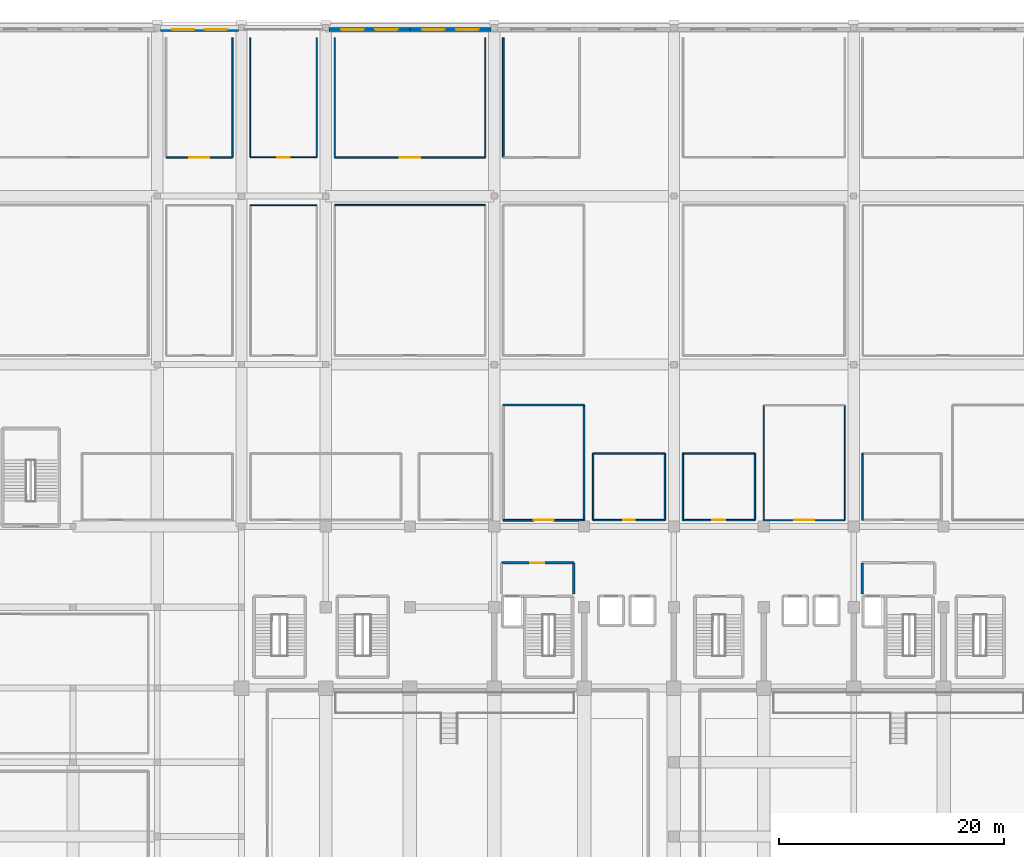
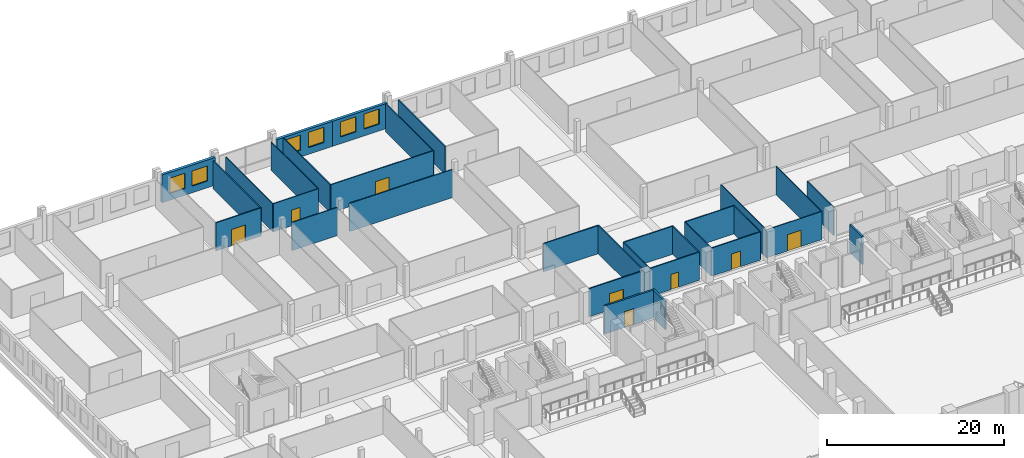
# One storey, part 48 of 68: 32 walls, 8 doors, 6 windows, 14 openings.
"""IFC4 building model written with IfcOpenShell, lengths in metres."""

from ifc_helpers import new_model, si_unit, direction, frame, frame_2d, origin, place, context, subcontext, project, spatial, rectangle, extrude, material, layer, layer_set, type_object, element, fill, save


model = new_model("IFC4")

# Units and contexts
model_context = context("Model", 3, precision=1e-05, world=origin(), true_north=direction((0.0, 1.0)))
body_context = subcontext(model_context, "Body", "Model", "MODEL_VIEW")
ifc_project = project(units=[si_unit("LENGTHUNIT", "METRE"), si_unit("AREAUNIT", "SQUARE_METRE"), si_unit("VOLUMEUNIT", "CUBIC_METRE"), si_unit("PLANEANGLEUNIT", "RADIAN"), si_unit("MASSUNIT", "GRAM", prefix="KILO")], contexts=[model_context])

# Site, building, storey
site_placement = place(None, origin())
site = spatial("IfcSite", under=ifc_project, at=site_placement, CompositionType="ELEMENT")
building_placement = place(site_placement, origin())
building = spatial("IfcBuilding", under=site, at=building_placement, Name="Akrevak Sports Hall", CompositionType="ELEMENT")
storey_placement = place(building_placement, frame((0.0, 0.0, 9.39990234375)))
storey = spatial("IfcBuildingStorey", under=building, at=storey_placement, Name="L02", CompositionType="ELEMENT", Elevation=9.39990234375)

# Wall, openings, windows
ifc_material_1 = material(Name="Limestone Ashlar", Category="stone")
ifc_layer_1 = layer(ifc_material_1, 0.080078125, Name="Limestone Ashlar")
ifc_material_2 = material(Name="Mineral Wool Thermal Insulation", Category="insulation")
ifc_layer_2 = layer(ifc_material_2, 0.10009765625, Name="Mineral Wool Thermal Insulation")
ifc_material_3 = material(Name="Concrete C40/50", Category="concrete")
ifc_layer_3 = layer(ifc_material_3, 0.179931640625, Name="Concrete C40/50")
ifc_layer_set_1 = layer_set([ifc_layer_1, ifc_layer_2, ifc_layer_3], Name="Limestone Ashlar / Mineral Wool Thermal Insulation / Concrete C40/50")
wall_type_1 = type_object("IfcWallType", Name="ARC-WL-EXT-360", PredefinedType="SOLIDWALL", material=ifc_layer_set_1)
wall_1_placement = place(storey_placement, frame((37.22509765625, 113.820068359375, 0.0), z_axis=(0.0, 0.0, 1.0), x_axis=(-1.0, 0.0, 0.0)))
wall_1 = element("IfcWall", 1, at=wall_1_placement, inside=storey, type_object=wall_type_1, Name="Exterior Limestone Wall L02-N05", PredefinedType="SOLIDWALL", context=body_context, shape_type="SweptSolid", body=[
    extrude(rectangle(XDim=6.925048828125, YDim=0.360107421875, at=frame_2d((3.46240234375, 0.0))), origin(), (0.0, 0.0, 1.0), 3.820068359375),
])
opening_1_placement = place(wall_1_placement, frame((3.916748046875, 0.0, 0.919921875)))
opening_1 = element("IfcOpeningElement", 2, at=opening_1_placement, cuts=wall_1, Name="Opening WN-36", PredefinedType="OPENING", context=body_context, shape_type="SweptSolid", body=[
    extrude(rectangle(XDim=2.0, YDim=2.10009765625, at=frame_2d((1.0, 1.050048828125))), frame((0.0, 0.19189453125, 0.0), z_axis=(0.0, -1.0, 0.0), x_axis=(1.0, 0.0, 0.0)), (0.0, 0.0, 1.0), 0.384033203125),
])
opening_2_placement = place(wall_1_placement, frame((1.00830078125, 0.0, 0.919921875)))
opening_2 = element("IfcOpeningElement", 3, at=opening_2_placement, cuts=wall_1, Name="Opening WN-36", PredefinedType="OPENING", context=body_context, shape_type="SweptSolid", body=[
    extrude(rectangle(XDim=2.0, YDim=2.10009765625, at=frame_2d((1.0, 1.050048828125))), frame((0.0, 0.19189453125, 0.0), z_axis=(0.0, -1.0, 0.0), x_axis=(1.0, 0.0, 0.0)), (0.0, 0.0, 1.0), 0.384033203125),
])
ifc_material_4 = material(Name="Thermally Broken Bronze Frame & Double Low-E Glass", Category="glass")
window_type = type_object("IfcWindowType", Name="ARC-WIN-SZ-2000x2100", PartitioningType="SINGLE_PANEL", PredefinedType="WINDOW", material=ifc_material_4)
window_1_placement = place(opening_1_placement, origin())
window_1 = element("IfcWindow", 4, at=window_1_placement, inside=storey, type_object=window_type, Name="Beaux-Arts Facade Window WIN-L02-N05-1", OverallHeight=2.10009765625, OverallWidth=2.0, PartitioningType="SINGLE_PANEL", PredefinedType="WINDOW", context=body_context, shape_type="SweptSolid", body=[
    extrude(rectangle(XDim=2.0, YDim=2.10009765625, at=frame_2d((1.0, 1.050048828125))), frame((0.0, 0.030029296875, 0.0), z_axis=(0.0, -1.0, 0.0), x_axis=(1.0, 0.0, 0.0)), (0.0, 0.0, 1.0), 0.06005859375),
])
fill(opening_1, window_1)
window_2_placement = place(opening_2_placement, origin())
window_2 = element("IfcWindow", 5, at=window_2_placement, inside=storey, type_object=window_type, Name="Beaux-Arts Facade Window WIN-L02-N05-2", OverallHeight=2.10009765625, OverallWidth=2.0, PartitioningType="SINGLE_PANEL", PredefinedType="WINDOW", context=body_context, shape_type="SweptSolid", body=[
    extrude(rectangle(XDim=2.0, YDim=2.10009765625, at=frame_2d((1.0, 1.050048828125))), frame((0.0, 0.030029296875, 0.0), z_axis=(0.0, -1.0, 0.0), x_axis=(1.0, 0.0, 0.0)), (0.0, 0.0, 1.0), 0.06005859375),
])
fill(opening_2, window_2)

wall_2_placement = place(storey_placement, frame((52.5, 113.820068359375, 0.0), z_axis=(0.0, 0.0, 1.0), x_axis=(-1.0, 0.0, 0.0)))
wall_2 = element("IfcWall", 6, at=wall_2_placement, inside=storey, type_object=wall_type_1, Name="Exterior Limestone Wall L02-N07", PredefinedType="SOLIDWALL", context=body_context, shape_type="SweptSolid", body=[
    extrude(rectangle(XDim=7.22509765625, YDim=0.360107421875, at=frame_2d((3.612548828125, 0.0))), origin(), (0.0, 0.0, 1.0), 3.4501953125),
])
opening_3_placement = place(wall_2_placement, frame((4.1298828125, 0.0, 0.919921875)))
opening_3 = element("IfcOpeningElement", 7, at=opening_3_placement, cuts=wall_2, Name="Opening WN-36", PredefinedType="OPENING", context=body_context, shape_type="SweptSolid", body=[
    extrude(rectangle(XDim=2.0, YDim=2.10009765625, at=frame_2d((1.0, 1.050048828125))), frame((0.0, 0.19189453125, 0.0), z_axis=(0.0, -1.0, 0.0), x_axis=(1.0, 0.0, 0.0)), (0.0, 0.0, 1.0), 0.384033203125),
])
opening_4_placement = place(wall_2_placement, frame((1.09521484375, 0.0, 0.919921875)))
opening_4 = element("IfcOpeningElement", 8, at=opening_4_placement, cuts=wall_2, Name="Opening WN-36", PredefinedType="OPENING", context=body_context, shape_type="SweptSolid", body=[
    extrude(rectangle(XDim=2.0, YDim=2.10009765625, at=frame_2d((1.0, 1.050048828125))), frame((0.0, 0.19189453125, 0.0), z_axis=(0.0, -1.0, 0.0), x_axis=(1.0, 0.0, 0.0)), (0.0, 0.0, 1.0), 0.384033203125),
])
window_3_placement = place(opening_3_placement, origin())
window_3 = element("IfcWindow", 9, at=window_3_placement, inside=storey, type_object=window_type, Name="Beaux-Arts Facade Window WIN-L02-N07-1", OverallHeight=2.10009765625, OverallWidth=2.0, PartitioningType="SINGLE_PANEL", PredefinedType="WINDOW", context=body_context, shape_type="SweptSolid", body=[
    extrude(rectangle(XDim=2.0, YDim=2.10009765625, at=frame_2d((1.0, 1.050048828125))), frame((0.0, 0.030029296875, 0.0), z_axis=(0.0, -1.0, 0.0), x_axis=(1.0, 0.0, 0.0)), (0.0, 0.0, 1.0), 0.06005859375),
])
fill(opening_3, window_3)
window_4_placement = place(opening_4_placement, origin())
window_4 = element("IfcWindow", 10, at=window_4_placement, inside=storey, type_object=window_type, Name="Beaux-Arts Facade Window WIN-L02-N07-2", OverallHeight=2.10009765625, OverallWidth=2.0, PartitioningType="SINGLE_PANEL", PredefinedType="WINDOW", context=body_context, shape_type="SweptSolid", body=[
    extrude(rectangle(XDim=2.0, YDim=2.10009765625, at=frame_2d((1.0, 1.050048828125))), frame((0.0, 0.030029296875, 0.0), z_axis=(0.0, -1.0, 0.0), x_axis=(1.0, 0.0, 0.0)), (0.0, 0.0, 1.0), 0.06005859375),
])
fill(opening_4, window_4)

wall_3_placement = place(storey_placement, frame((59.699951171875, 113.820068359375, 0.0), z_axis=(0.0, 0.0, 1.0), x_axis=(-1.0, 0.0, 0.0)))
wall_3 = element("IfcWall", 11, at=wall_3_placement, inside=storey, type_object=wall_type_1, Name="Exterior Limestone Wall L02-N08", PredefinedType="SOLIDWALL", context=body_context, shape_type="SweptSolid", body=[
    extrude(rectangle(XDim=7.199951171875, YDim=0.360107421875, at=frame_2d((3.60009765625, 0.0))), origin(), (0.0, 0.0, 1.0), 3.4501953125),
])
opening_5_placement = place(wall_3_placement, frame((4.112060546875, 0.0, 0.919921875)))
opening_5 = element("IfcOpeningElement", 12, at=opening_5_placement, cuts=wall_3, Name="Opening WN-36", PredefinedType="OPENING", context=body_context, shape_type="SweptSolid", body=[
    extrude(rectangle(XDim=2.0, YDim=2.10009765625, at=frame_2d((1.0, 1.050048828125))), frame((0.0, 0.19189453125, 0.0), z_axis=(0.0, -1.0, 0.0), x_axis=(1.0, 0.0, 0.0)), (0.0, 0.0, 1.0), 0.384033203125),
])
opening_6_placement = place(wall_3_placement, frame((1.087890625, 0.0, 0.919921875)))
opening_6 = element("IfcOpeningElement", 13, at=opening_6_placement, cuts=wall_3, Name="Opening WN-36", PredefinedType="OPENING", context=body_context, shape_type="SweptSolid", body=[
    extrude(rectangle(XDim=2.0, YDim=2.10009765625, at=frame_2d((1.0, 1.050048828125))), frame((0.0, 0.19189453125, 0.0), z_axis=(0.0, -1.0, 0.0), x_axis=(1.0, 0.0, 0.0)), (0.0, 0.0, 1.0), 0.384033203125),
])
window_5_placement = place(opening_5_placement, origin())
window_5 = element("IfcWindow", 14, at=window_5_placement, inside=storey, type_object=window_type, Name="Beaux-Arts Facade Window WIN-L02-N08-1", OverallHeight=2.10009765625, OverallWidth=2.0, PartitioningType="SINGLE_PANEL", PredefinedType="WINDOW", context=body_context, shape_type="SweptSolid", body=[
    extrude(rectangle(XDim=2.0, YDim=2.10009765625, at=frame_2d((1.0, 1.050048828125))), frame((0.0, 0.030029296875, 0.0), z_axis=(0.0, -1.0, 0.0), x_axis=(1.0, 0.0, 0.0)), (0.0, 0.0, 1.0), 0.06005859375),
])
fill(opening_5, window_5)
window_6_placement = place(opening_6_placement, origin())
window_6 = element("IfcWindow", 15, at=window_6_placement, inside=storey, type_object=window_type, Name="Beaux-Arts Facade Window WIN-L02-N08-2", OverallHeight=2.10009765625, OverallWidth=2.0, PartitioningType="SINGLE_PANEL", PredefinedType="WINDOW", context=body_context, shape_type="SweptSolid", body=[
    extrude(rectangle(XDim=2.0, YDim=2.10009765625, at=frame_2d((1.0, 1.050048828125))), frame((0.0, 0.030029296875, 0.0), z_axis=(0.0, -1.0, 0.0), x_axis=(1.0, 0.0, 0.0)), (0.0, 0.0, 1.0), 0.06005859375),
])
fill(opening_6, window_6)

# Wall, opening, door
ifc_material_5 = material(Name="Sanitary Cubicle Partition", Category="gypsum")
ifc_layer_4 = layer(ifc_material_5, 0.10009765625, Name="Sanitary Cubicle Partition")
ifc_layer_set_2 = layer_set([ifc_layer_4], Name="Sanitary Cubicle Partition")
wall_type_2 = type_object("IfcWallType", Name="ARC-WL-PRT-100", PredefinedType="PARTITIONING", material=ifc_layer_set_2)
wall_4_placement = place(storey_placement, frame((38.300048828125, 102.449951171875, 0.0), z_axis=(0.0, 0.0, 1.0), x_axis=(1.0, 0.0, 0.0)))
wall_4 = element("IfcWall", 16, at=wall_4_placement, inside=storey, type_object=wall_type_2, Name="Interior Partition Federation Officiating & Records Office L02-4 (S)", PredefinedType="PARTITIONING", context=body_context, shape_type="SweptSolid", body=[
    extrude(rectangle(XDim=5.89990234375, YDim=0.10009765625, at=frame_2d((2.949951171875, 0.0))), origin(), (0.0, 0.0, 1.0), 3.880126953125),
])
opening_7_placement = place(wall_4_placement, frame((2.39990234375, 0.0, 0.0)))
opening_7 = element("IfcOpeningElement", 17, at=opening_7_placement, cuts=wall_4, Name="Opening ID-04", PredefinedType="OPENING", context=body_context, shape_type="SweptSolid", body=[
    extrude(rectangle(XDim=1.10009765625, YDim=2.14990234375, at=frame_2d((0.550048828125, 1.074951171875))), frame((0.0, 0.06201171875, 0.0), z_axis=(0.0, -1.0, 0.0), x_axis=(1.0, 0.0, 0.0)), (0.0, 0.0, 1.0), 0.1240234375),
])
ifc_material_6 = material(Name="Hardwood Oak Acoustic Leaf", Category="wood")
door_type_1 = type_object("IfcDoorType", Name="ARC-DR-OFF-110x215", OperationType="NOTDEFINED", PredefinedType="DOOR", material=ifc_material_6)
door_1_placement = place(opening_7_placement, frame((1.10009765625, 0.0, 0.0), z_axis=(0.0, 0.0, 1.0), x_axis=(-1.0, 0.0, 0.0)))
door_1 = element("IfcDoor", 18, at=door_1_placement, inside=storey, type_object=door_type_1, Name="Door to Federation Officiating & Records Office L02-4", OperationType="SINGLE_SWING_RIGHT", OverallHeight=2.14990234375, OverallWidth=1.10009765625, PredefinedType="DOOR", context=body_context, shape_type="SweptSolid", body=[
    extrude(rectangle(XDim=1.10009765625, YDim=2.14990234375, at=frame_2d((0.550048828125, 1.074951171875))), frame((0.0, 0.02490234375, 0.0), z_axis=(0.0, -1.0, 0.0), x_axis=(1.0, 0.0, 0.0)), (0.0, 0.0, 1.0), 0.050048828125),
])
fill(opening_7, door_1)

# Walls
for number, where, z_axis, x_axis, name in (
    (19, (38.300048828125, 102.449951171875, 0.0), (0.0, 0.0, 1.0), (0.0, 1.0, 0.0), "Interior Partition Federation Officiating & Records Office L02-4 (W)"),
    (20, (44.199951171875, 102.449951171875, 0.0), (0.0, 0.0, 1.0), (0.0, 1.0, 0.0), "Interior Partition Federation Officiating & Records Office L02-4 (E)"),
):
    element("IfcWall", number, at=place(storey_placement, frame(where, z_axis=z_axis, x_axis=x_axis)), inside=storey, type_object=wall_type_2, Name=name, PredefinedType="PARTITIONING", context=body_context, shape_type="SweptSolid", body=[
        extrude(rectangle(XDim=10.650146484375, YDim=0.10009765625, at=frame_2d((5.3251953125, 0.0))), origin(), (0.0, 0.0, 1.0), 3.880126953125),
    ])

# Wall, opening, door
wall_5_placement = place(storey_placement, frame((84.0, 70.14990234375, 0.0), z_axis=(0.0, 0.0, 1.0), x_axis=(1.0, 0.0, 0.0)))
wall_5 = element("IfcWall", 21, at=wall_5_placement, inside=storey, type_object=wall_type_2, Name="Interior Partition Upper Equipment Storage L02-2 (S)", PredefinedType="PARTITIONING", context=body_context, shape_type="SweptSolid", body=[
    extrude(rectangle(XDim=7.199951171875, YDim=0.10009765625, at=frame_2d((3.60009765625, 0.0))), origin(), (0.0, 0.0, 1.0), 3.880126953125),
])
opening_8_placement = place(wall_5_placement, frame((2.699951171875, 0.0, 0.0)))
opening_8 = element("IfcOpeningElement", 22, at=opening_8_placement, cuts=wall_5, Name="Opening ID-02", PredefinedType="OPENING", context=body_context, shape_type="SweptSolid", body=[
    extrude(rectangle(XDim=1.800048828125, YDim=2.25, at=frame_2d((0.89990234375, 1.125))), frame((0.0, 0.06201171875, 0.0), z_axis=(0.0, -1.0, 0.0), x_axis=(1.0, 0.0, 0.0)), (0.0, 0.0, 1.0), 0.1240234375),
])
ifc_material_7 = material(Name="Hardwood Oak & Safety Glass", Category="wood")
door_type_2 = type_object("IfcDoorType", Name="ARC-DR-HALL-180x225", OperationType="DOUBLE_DOOR_SINGLE_SWING", PredefinedType="DOOR", material=ifc_material_7)
door_2_placement = place(opening_8_placement, origin())
door_2 = element("IfcDoor", 23, at=door_2_placement, inside=storey, type_object=door_type_2, Name="Door to Upper Equipment Storage L02-2", OperationType="DOUBLE_DOOR_SINGLE_SWING", OverallHeight=2.25, OverallWidth=1.800048828125, PredefinedType="DOOR", context=body_context, shape_type="SweptSolid", body=[
    extrude(rectangle(XDim=1.800048828125, YDim=2.25, at=frame_2d((0.89990234375, 1.125))), frame((0.0, 0.02490234375, 0.0), z_axis=(0.0, -1.0, 0.0), x_axis=(1.0, 0.0, 0.0)), (0.0, 0.0, 1.0), 0.050048828125),
])
fill(opening_8, door_2)

# Walls
for number, where, z_axis, x_axis, name in (
    (24, (84.0, 70.14990234375, 0.0), (0.0, 0.0, 1.0), (0.0, 1.0, 0.0), "Interior Partition Upper Equipment Storage L02-2 (W)"),
    (25, (91.199951171875, 70.14990234375, 0.0), (0.0, 0.0, 1.0), (0.0, 1.0, 0.0), "Interior Partition Upper Equipment Storage L02-2 (E)"),
):
    element("IfcWall", number, at=place(storey_placement, frame(where, z_axis=z_axis, x_axis=x_axis)), inside=storey, type_object=wall_type_2, Name=name, PredefinedType="PARTITIONING", context=body_context, shape_type="SweptSolid", body=[
        extrude(rectangle(XDim=10.25, YDim=0.10009765625, at=frame_2d((5.125, 0.0))), origin(), (0.0, 0.0, 1.0), 3.880126953125),
    ])
ifc_material_8 = material(Name="Lightweight Office Partition", Category="gypsum")
ifc_layer_5 = layer(ifc_material_8, 0.110107421875, Name="Lightweight Office Partition")
ifc_layer_set_3 = layer_set([ifc_layer_5], Name="Lightweight Office Partition")
wall_type_3 = type_object("IfcWallType", Name="ARC-WL-PRT-110", PredefinedType="PARTITIONING", material=ifc_layer_set_3)
wall_6_placement = place(storey_placement, frame((38.300048828125, 98.199951171875, 0.0), z_axis=(0.0, 0.0, 1.0), x_axis=(1.0, 0.0, 0.0)))
element("IfcWall", 26, at=wall_6_placement, inside=storey, type_object=wall_type_3, Name="Interior Partition Athletic Gear & Equipment Storage L02-4 (N)", PredefinedType="PARTITIONING", context=body_context, shape_type="SweptSolid", body=[
    extrude(rectangle(XDim=5.89990234375, YDim=0.110107421875, at=frame_2d((2.949951171875, 0.0))), origin(), (0.0, 0.0, 1.0), 3.880126953125),
])
ifc_material_9 = material(Name="Standard Metal Stud Partition", Category="gypsum")
ifc_layer_6 = layer(ifc_material_9, 0.1201171875, Name="Standard Metal Stud Partition")
ifc_layer_set_4 = layer_set([ifc_layer_6], Name="Standard Metal Stud Partition")
wall_type_4 = type_object("IfcWallType", Name="ARC-WL-PRT-120", PredefinedType="PARTITIONING", material=ifc_layer_set_4)
wall_7_placement = place(storey_placement, frame((45.800048828125, 98.199951171875, 0.0), z_axis=(0.0, 0.0, 1.0), x_axis=(1.0, 0.0, 0.0)))
element("IfcWall", 27, at=wall_7_placement, inside=storey, type_object=wall_type_4, Name="Interior Partition Sports Federation Training Office L02-5 (N)", PredefinedType="PARTITIONING", context=body_context, shape_type="SweptSolid", body=[
    extrude(rectangle(XDim=13.39990234375, YDim=0.1201171875, at=frame_2d((6.699951171875, 0.0))), origin(), (0.0, 0.0, 1.0), 3.880126953125),
])

# Wall, opening, door
wall_8_placement = place(storey_placement, frame((45.800048828125, 102.449951171875, 0.0), z_axis=(0.0, 0.0, 1.0), x_axis=(1.0, 0.0, 0.0)))
wall_8 = element("IfcWall", 28, at=wall_8_placement, inside=storey, type_object=wall_type_4, Name="Interior Partition Competition Equipment Storage L02-5 (S)", PredefinedType="PARTITIONING", context=body_context, shape_type="SweptSolid", body=[
    extrude(rectangle(XDim=13.39990234375, YDim=0.1201171875, at=frame_2d((6.699951171875, 0.0))), origin(), (0.0, 0.0, 1.0), 3.880126953125),
])
opening_9_placement = place(wall_8_placement, frame((5.800048828125, 0.0, 0.0)))
opening_9 = element("IfcOpeningElement", 29, at=opening_9_placement, cuts=wall_8, Name="Opening ID-02", PredefinedType="OPENING", context=body_context, shape_type="SweptSolid", body=[
    extrude(rectangle(XDim=1.800048828125, YDim=2.25, at=frame_2d((0.89990234375, 1.125))), frame((0.0, 0.072021484375, 0.0), z_axis=(0.0, -1.0, 0.0), x_axis=(1.0, 0.0, 0.0)), (0.0, 0.0, 1.0), 0.14404296875),
])
door_3_placement = place(opening_9_placement, origin())
door_3 = element("IfcDoor", 30, at=door_3_placement, inside=storey, type_object=door_type_2, Name="Door to Competition Equipment Storage L02-5", OperationType="DOUBLE_DOOR_SINGLE_SWING", OverallHeight=2.25, OverallWidth=1.800048828125, PredefinedType="DOOR", context=body_context, shape_type="SweptSolid", body=[
    extrude(rectangle(XDim=1.800048828125, YDim=2.25, at=frame_2d((0.89990234375, 1.125))), frame((0.0, 0.02490234375, 0.0), z_axis=(0.0, -1.0, 0.0), x_axis=(1.0, 0.0, 0.0)), (0.0, 0.0, 1.0), 0.050048828125),
])
fill(opening_9, door_3)

# Walls
for number, where, z_axis, x_axis, name in (
    (31, (45.800048828125, 102.449951171875, 0.0), (0.0, 0.0, 1.0), (0.0, 1.0, 0.0), "Interior Partition Competition Equipment Storage L02-5 (W)"),
    (32, (59.199951171875, 102.449951171875, 0.0), (0.0, 0.0, 1.0), (0.0, 1.0, 0.0), "Interior Partition Competition Equipment Storage L02-5 (E)"),
):
    element("IfcWall", number, at=place(storey_placement, frame(where, z_axis=z_axis, x_axis=x_axis)), inside=storey, type_object=wall_type_4, Name=name, PredefinedType="PARTITIONING", context=body_context, shape_type="SweptSolid", body=[
        extrude(rectangle(XDim=10.650146484375, YDim=0.1201171875, at=frame_2d((5.3251953125, 0.0))), origin(), (0.0, 0.0, 1.0), 3.880126953125),
    ])

# Wall, opening, door
ifc_material_10 = material(Name="Acoustic Metal Stud Partition", Category="gypsum")
ifc_layer_7 = layer(ifc_material_10, 0.1298828125, Name="Acoustic Metal Stud Partition")
ifc_layer_set_5 = layer_set([ifc_layer_7], Name="Acoustic Metal Stud Partition")
wall_type_5 = type_object("IfcWallType", Name="ARC-WL-PRT-130", PredefinedType="PARTITIONING", material=ifc_layer_set_5)
wall_9_placement = place(storey_placement, frame((76.800048828125, 70.14990234375, 0.0), z_axis=(0.0, 0.0, 1.0), x_axis=(1.0, 0.0, 0.0)))
wall_9 = element("IfcWall", 33, at=wall_9_placement, inside=storey, type_object=wall_type_5, Name="Interior Partition Changing Room 12 - Volleyball Visiting (S)", PredefinedType="PARTITIONING", context=body_context, shape_type="SweptSolid", body=[
    extrude(rectangle(XDim=6.39990234375, YDim=0.1298828125, at=frame_2d((3.199951171875, 0.0))), origin(), (0.0, 0.0, 1.0), 3.880126953125),
])
opening_10_placement = place(wall_9_placement, frame((2.625, 0.0, 0.0)))
opening_10 = element("IfcOpeningElement", 34, at=opening_10_placement, cuts=wall_9, Name="Opening ID-07", PredefinedType="OPENING", context=body_context, shape_type="SweptSolid", body=[
    extrude(rectangle(XDim=1.14990234375, YDim=2.14990234375, at=frame_2d((0.574951171875, 1.074951171875))), frame((0.0, 0.076904296875, 0.0), z_axis=(0.0, -1.0, 0.0), x_axis=(1.0, 0.0, 0.0)), (0.0, 0.0, 1.0), 0.15380859375),
])
ifc_material_11 = material(Name="High-Pressure Laminate & Aluminium", Category="aluminium")
door_type_3 = type_object("IfcDoorType", Name="ARC-DR-CHG-115x215", OperationType="NOTDEFINED", PredefinedType="DOOR", material=ifc_material_11)
door_4_placement = place(opening_10_placement, origin())
door_4 = element("IfcDoor", 35, at=door_4_placement, inside=storey, type_object=door_type_3, Name="Door to Changing Room 12 - Volleyball Visiting", OperationType="SINGLE_SWING_LEFT", OverallHeight=2.14990234375, OverallWidth=1.14990234375, PredefinedType="DOOR", context=body_context, shape_type="SweptSolid", body=[
    extrude(rectangle(XDim=1.14990234375, YDim=2.14990234375, at=frame_2d((0.574951171875, 1.074951171875))), frame((0.0, 0.02490234375, 0.0), z_axis=(0.0, -1.0, 0.0), x_axis=(1.0, 0.0, 0.0)), (0.0, 0.0, 1.0), 0.050048828125),
])
fill(opening_10, door_4)

# Walls
wall_10_placement = place(storey_placement, frame((76.800048828125, 76.10009765625, 0.0), z_axis=(0.0, 0.0, 1.0), x_axis=(1.0, 0.0, 0.0)))
element("IfcWall", 36, at=wall_10_placement, inside=storey, type_object=wall_type_5, Name="Interior Partition Changing Room 12 - Volleyball Visiting (N)", PredefinedType="PARTITIONING", context=body_context, shape_type="SweptSolid", body=[
    extrude(rectangle(XDim=6.39990234375, YDim=0.1298828125, at=frame_2d((3.199951171875, 0.0))), origin(), (0.0, 0.0, 1.0), 3.880126953125),
])
for number, where, z_axis, x_axis, name in (
    (37, (76.800048828125, 70.14990234375, 0.0), (0.0, 0.0, 1.0), (0.0, 1.0, 0.0), "Interior Partition Changing Room 12 - Volleyball Visiting (W)"),
    (38, (83.199951171875, 70.14990234375, 0.0), (0.0, 0.0, 1.0), (0.0, 1.0, 0.0), "Interior Partition Changing Room 12 - Volleyball Visiting (E)"),
):
    element("IfcWall", number, at=place(storey_placement, frame(where, z_axis=z_axis, x_axis=x_axis)), inside=storey, type_object=wall_type_5, Name=name, PredefinedType="PARTITIONING", context=body_context, shape_type="SweptSolid", body=[
        extrude(rectangle(XDim=5.9501953125, YDim=0.1298828125, at=frame_2d((2.97509765625, 0.0))), origin(), (0.0, 0.0, 1.0), 3.880126953125),
    ])

# Wall, opening, door
wall_11_placement = place(storey_placement, frame((30.800048828125, 102.449951171875, 0.0), z_axis=(0.0, 0.0, 1.0), x_axis=(1.0, 0.0, 0.0)))
wall_11 = element("IfcWall", 39, at=wall_11_placement, inside=storey, type_object=wall_type_5, Name="Interior Partition Competition Equipment Storage L02-3 (S)", PredefinedType="PARTITIONING", context=body_context, shape_type="SweptSolid", body=[
    extrude(rectangle(XDim=5.89990234375, YDim=0.1298828125, at=frame_2d((2.949951171875, 0.0))), origin(), (0.0, 0.0, 1.0), 3.880126953125),
])
opening_11_placement = place(wall_11_placement, frame((2.050048828125, 0.0, 0.0)))
opening_11 = element("IfcOpeningElement", 40, at=opening_11_placement, cuts=wall_11, Name="Opening ID-02", PredefinedType="OPENING", context=body_context, shape_type="SweptSolid", body=[
    extrude(rectangle(XDim=1.800048828125, YDim=2.25, at=frame_2d((0.89990234375, 1.125))), frame((0.0, 0.076904296875, 0.0), z_axis=(0.0, -1.0, 0.0), x_axis=(1.0, 0.0, 0.0)), (0.0, 0.0, 1.0), 0.15380859375),
])
door_5_placement = place(opening_11_placement, origin())
door_5 = element("IfcDoor", 41, at=door_5_placement, inside=storey, type_object=door_type_2, Name="Door to Competition Equipment Storage L02-3", OperationType="DOUBLE_DOOR_SINGLE_SWING", OverallHeight=2.25, OverallWidth=1.800048828125, PredefinedType="DOOR", context=body_context, shape_type="SweptSolid", body=[
    extrude(rectangle(XDim=1.800048828125, YDim=2.25, at=frame_2d((0.89990234375, 1.125))), frame((0.0, 0.02490234375, 0.0), z_axis=(0.0, -1.0, 0.0), x_axis=(1.0, 0.0, 0.0)), (0.0, 0.0, 1.0), 0.050048828125),
])
fill(opening_11, door_5)

# Wall
wall_12_placement = place(storey_placement, frame((36.699951171875, 102.449951171875, 0.0), z_axis=(0.0, 0.0, 1.0), x_axis=(0.0, 1.0, 0.0)))
element("IfcWall", 42, at=wall_12_placement, inside=storey, type_object=wall_type_5, Name="Interior Partition Competition Equipment Storage L02-3 (E)", PredefinedType="PARTITIONING", context=body_context, shape_type="SweptSolid", body=[
    extrude(rectangle(XDim=10.650146484375, YDim=0.1298828125, at=frame_2d((5.3251953125, 0.0))), origin(), (0.0, 0.0, 1.0), 3.880126953125),
])

# Wall, opening, door
ifc_material_12 = material(Name="Moisture-Resistant Wet-Area Partition", Category="gypsum")
ifc_layer_8 = layer(ifc_material_12, 0.139892578125, Name="Moisture-Resistant Wet-Area Partition")
ifc_layer_set_6 = layer_set([ifc_layer_8], Name="Moisture-Resistant Wet-Area Partition")
wall_type_6 = type_object("IfcWallType", Name="ARC-WL-PRT-140", PredefinedType="PARTITIONING", material=ifc_layer_set_6)
wall_13_placement = place(storey_placement, frame((68.800048828125, 70.14990234375, 0.0), z_axis=(0.0, 0.0, 1.0), x_axis=(1.0, 0.0, 0.0)))
wall_13 = element("IfcWall", 43, at=wall_13_placement, inside=storey, type_object=wall_type_6, Name="Interior Partition Upper Accessible WC L02 (S)", PredefinedType="PARTITIONING", context=body_context, shape_type="SweptSolid", body=[
    extrude(rectangle(XDim=6.39990234375, YDim=0.139892578125, at=frame_2d((3.199951171875, 0.0))), origin(), (0.0, 0.0, 1.0), 3.880126953125),
])
opening_12_placement = place(wall_13_placement, frame((2.68994140625, 0.0, 0.0)))
opening_12 = element("IfcOpeningElement", 44, at=opening_12_placement, cuts=wall_13, Name="Opening ID-09", PredefinedType="OPENING", context=body_context, shape_type="SweptSolid", body=[
    extrude(rectangle(XDim=1.02001953125, YDim=2.10009765625, at=frame_2d((0.510009765625, 1.050048828125))), frame((0.0, 0.08203125, 0.0), z_axis=(0.0, -1.0, 0.0), x_axis=(1.0, 0.0, 0.0)), (0.0, 0.0, 1.0), 0.163818359375),
])
door_type_4 = type_object("IfcDoorType", Name="ARC-DR-AWC-102x210", OperationType="NOTDEFINED", PredefinedType="DOOR", material=ifc_material_11)
door_6_placement = place(opening_12_placement, frame((1.02001953125, 0.0, 0.0), z_axis=(0.0, 0.0, 1.0), x_axis=(-1.0, 0.0, 0.0)))
door_6 = element("IfcDoor", 45, at=door_6_placement, inside=storey, type_object=door_type_4, Name="Door to Upper Accessible WC L02", OperationType="SINGLE_SWING_RIGHT", OverallHeight=2.10009765625, OverallWidth=1.02001953125, PredefinedType="DOOR", context=body_context, shape_type="SweptSolid", body=[
    extrude(rectangle(XDim=1.02001953125, YDim=2.10009765625, at=frame_2d((0.510009765625, 1.050048828125))), frame((0.0, 0.02490234375, 0.0), z_axis=(0.0, -1.0, 0.0), x_axis=(1.0, 0.0, 0.0)), (0.0, 0.0, 1.0), 0.050048828125),
])
fill(opening_12, door_6)

# Walls
wall_14_placement = place(storey_placement, frame((68.800048828125, 76.10009765625, 0.0), z_axis=(0.0, 0.0, 1.0), x_axis=(1.0, 0.0, 0.0)))
element("IfcWall", 46, at=wall_14_placement, inside=storey, type_object=wall_type_6, Name="Interior Partition Upper Accessible WC L02 (N)", PredefinedType="PARTITIONING", context=body_context, shape_type="SweptSolid", body=[
    extrude(rectangle(XDim=6.39990234375, YDim=0.139892578125, at=frame_2d((3.199951171875, 0.0))), origin(), (0.0, 0.0, 1.0), 3.880126953125),
])
for number, where, z_axis, x_axis, name in (
    (47, (68.800048828125, 70.14990234375, 0.0), (0.0, 0.0, 1.0), (0.0, 1.0, 0.0), "Interior Partition Upper Accessible WC L02 (W)"),
    (48, (75.199951171875, 70.14990234375, 0.0), (0.0, 0.0, 1.0), (0.0, 1.0, 0.0), "Interior Partition Upper Accessible WC L02 (E)"),
    (49, (92.800048828125, 70.14990234375, 0.0), (0.0, 0.0, 1.0), (0.0, 1.0, 0.0), "Interior Partition Upper Athletes Shower & Wet Suite L02 (W)"),
):
    element("IfcWall", number, at=place(storey_placement, frame(where, z_axis=z_axis, x_axis=x_axis)), inside=storey, type_object=wall_type_6, Name=name, PredefinedType="PARTITIONING", context=body_context, shape_type="SweptSolid", body=[
        extrude(rectangle(XDim=5.9501953125, YDim=0.139892578125, at=frame_2d((2.97509765625, 0.0))), origin(), (0.0, 0.0, 1.0), 3.880126953125),
    ])
ifc_material_13 = material(Name="Double Stud Acoustic Gypsum Partition", Category="gypsum")
ifc_layer_9 = layer(ifc_material_13, 0.14990234375, Name="Double Stud Acoustic Gypsum Partition")
ifc_layer_set_7 = layer_set([ifc_layer_9], Name="Double Stud Acoustic Gypsum Partition")
wall_type_7 = type_object("IfcWallType", Name="ARC-WL-PRT-150", PredefinedType="PARTITIONING", material=ifc_layer_set_7)
wall_15_placement = place(storey_placement, frame((60.800048828125, 102.449951171875, 0.0), z_axis=(0.0, 0.0, 1.0), x_axis=(0.0, 1.0, 0.0)))
element("IfcWall", 50, at=wall_15_placement, inside=storey, type_object=wall_type_7, Name="Interior Partition Federation Officiating & Records Office L02-6 (W)", PredefinedType="PARTITIONING", context=body_context, shape_type="SweptSolid", body=[
    extrude(rectangle(XDim=10.650146484375, YDim=0.14990234375, at=frame_2d((5.3251953125, 0.0))), origin(), (0.0, 0.0, 1.0), 3.880126953125),
])

# Wall, opening, door
wall_16_placement = place(storey_placement, frame((60.800048828125, 70.14990234375, 0.0), z_axis=(0.0, 0.0, 1.0), x_axis=(1.0, 0.0, 0.0)))
wall_16 = element("IfcWall", 51, at=wall_16_placement, inside=storey, type_object=wall_type_7, Name="Interior Partition Upper Equipment Storage L02-1 (S)", PredefinedType="PARTITIONING", context=body_context, shape_type="SweptSolid", body=[
    extrude(rectangle(XDim=7.199951171875, YDim=0.14990234375, at=frame_2d((3.60009765625, 0.0))), origin(), (0.0, 0.0, 1.0), 3.880126953125),
])
opening_13_placement = place(wall_16_placement, frame((2.699951171875, 0.0, 0.0)))
opening_13 = element("IfcOpeningElement", 52, at=opening_13_placement, cuts=wall_16, Name="Opening ID-02", PredefinedType="OPENING", context=body_context, shape_type="SweptSolid", body=[
    extrude(rectangle(XDim=1.800048828125, YDim=2.25, at=frame_2d((0.89990234375, 1.125))), frame((0.0, 0.0869140625, 0.0), z_axis=(0.0, -1.0, 0.0), x_axis=(1.0, 0.0, 0.0)), (0.0, 0.0, 1.0), 0.173828125),
])
door_7_placement = place(opening_13_placement, origin())
door_7 = element("IfcDoor", 53, at=door_7_placement, inside=storey, type_object=door_type_2, Name="Door to Upper Equipment Storage L02-1", OperationType="DOUBLE_DOOR_SINGLE_SWING", OverallHeight=2.25, OverallWidth=1.800048828125, PredefinedType="DOOR", context=body_context, shape_type="SweptSolid", body=[
    extrude(rectangle(XDim=1.800048828125, YDim=2.25, at=frame_2d((0.89990234375, 1.125))), frame((0.0, 0.02490234375, 0.0), z_axis=(0.0, -1.0, 0.0), x_axis=(1.0, 0.0, 0.0)), (0.0, 0.0, 1.0), 0.050048828125),
])
fill(opening_13, door_7)

# Walls
wall_17_placement = place(storey_placement, frame((60.800048828125, 80.39990234375, 0.0), z_axis=(0.0, 0.0, 1.0), x_axis=(1.0, 0.0, 0.0)))
element("IfcWall", 54, at=wall_17_placement, inside=storey, type_object=wall_type_7, Name="Interior Partition Upper Equipment Storage L02-1 (N)", PredefinedType="PARTITIONING", context=body_context, shape_type="SweptSolid", body=[
    extrude(rectangle(XDim=7.199951171875, YDim=0.14990234375, at=frame_2d((3.60009765625, 0.0))), origin(), (0.0, 0.0, 1.0), 3.880126953125),
])
wall_18_placement = place(storey_placement, frame((68.0, 70.14990234375, 0.0), z_axis=(0.0, 0.0, 1.0), x_axis=(0.0, 1.0, 0.0)))
element("IfcWall", 55, at=wall_18_placement, inside=storey, type_object=wall_type_7, Name="Interior Partition Upper Equipment Storage L02-1 (E)", PredefinedType="PARTITIONING", context=body_context, shape_type="SweptSolid", body=[
    extrude(rectangle(XDim=10.25, YDim=0.14990234375, at=frame_2d((5.125, 0.0))), origin(), (0.0, 0.0, 1.0), 3.880126953125),
])

# Wall, opening, door
ifc_layer_10 = layer(ifc_material_3, 0.219970703125, Name="Concrete C40/50")
ifc_layer_set_8 = layer_set([ifc_layer_10], Name="Concrete C40/50")
wall_type_8 = type_object("IfcWallType", Name="ARC-WL-PRT-220", PredefinedType="PARTITIONING", material=ifc_layer_set_8)
wall_19_placement = place(storey_placement, frame((60.64990234375, 66.35009765625, 0.0), z_axis=(0.0, 0.0, 1.0), x_axis=(1.0, 0.0, 0.0)))
wall_19 = element("IfcWall", 56, at=wall_19_placement, inside=storey, type_object=wall_type_8, Name="Interior Partition Firefighting Lobby West L02 (N)", PredefinedType="PARTITIONING", context=body_context, shape_type="SweptSolid", body=[
    extrude(rectangle(XDim=6.4501953125, YDim=0.219970703125, at=frame_2d((3.22509765625, 0.0))), origin(), (0.0, 0.0, 1.0), 3.880126953125),
])
opening_14_placement = place(wall_19_placement, frame((2.574951171875, 0.0, 0.0)))
opening_14 = element("IfcOpeningElement", 57, at=opening_14_placement, cuts=wall_19, Name="Opening FD-01", PredefinedType="OPENING", context=body_context, shape_type="SweptSolid", body=[
    extrude(rectangle(XDim=1.25, YDim=2.199951171875, at=frame_2d((0.625, 1.10009765625))), frame((0.0, 0.1220703125, 0.0), z_axis=(0.0, -1.0, 0.0), x_axis=(1.0, 0.0, 0.0)), (0.0, 0.0, 1.0), 0.243896484375),
])
ifc_material_14 = material(Name="Fire-Rated Galvanized Door Steel", Category="steel")
door_type_5 = type_object("IfcDoorType", Name="ARC-DR-FFL-125x220", OperationType="NOTDEFINED", PredefinedType="DOOR", material=ifc_material_14)
door_8_placement = place(opening_14_placement, frame((1.25, 0.0, 0.0), z_axis=(0.0, 0.0, 1.0), x_axis=(-1.0, 0.0, 0.0)))
door_8 = element("IfcDoor", 58, at=door_8_placement, inside=storey, type_object=door_type_5, Name="Door to Firefighting Lobby West L02", OperationType="SINGLE_SWING_RIGHT", OverallHeight=2.199951171875, OverallWidth=1.25, PredefinedType="DOOR", context=body_context, shape_type="SweptSolid", body=[
    extrude(rectangle(XDim=1.25, YDim=2.199951171875, at=frame_2d((0.625, 1.10009765625))), frame((0.0, 0.02490234375, 0.0), z_axis=(0.0, -1.0, 0.0), x_axis=(1.0, 0.0, 0.0)), (0.0, 0.0, 1.0), 0.050048828125),
])
fill(opening_14, door_8)

# Walls
for number, where, z_axis, x_axis, name in (
    (59, (67.10009765625, 63.60009765625, 0.0), (0.0, 0.0, 1.0), (0.0, 1.0, 0.0), "Interior Partition Firefighting Lobby West L02 (E)"),
    (60, (92.75, 63.60009765625, 0.0), (0.0, 0.0, 1.0), (0.0, 1.0, 0.0), "Interior Partition Firefighting Lobby East L02 (W)"),
):
    element("IfcWall", number, at=place(storey_placement, frame(where, z_axis=z_axis, x_axis=x_axis)), inside=storey, type_object=wall_type_8, Name=name, PredefinedType="PARTITIONING", context=body_context, shape_type="SweptSolid", body=[
        extrude(rectangle(XDim=2.75, YDim=0.219970703125, at=frame_2d((1.375, 0.0))), origin(), (0.0, 0.0, 1.0), 3.880126953125),
    ])

save(model, "model.ifc")
